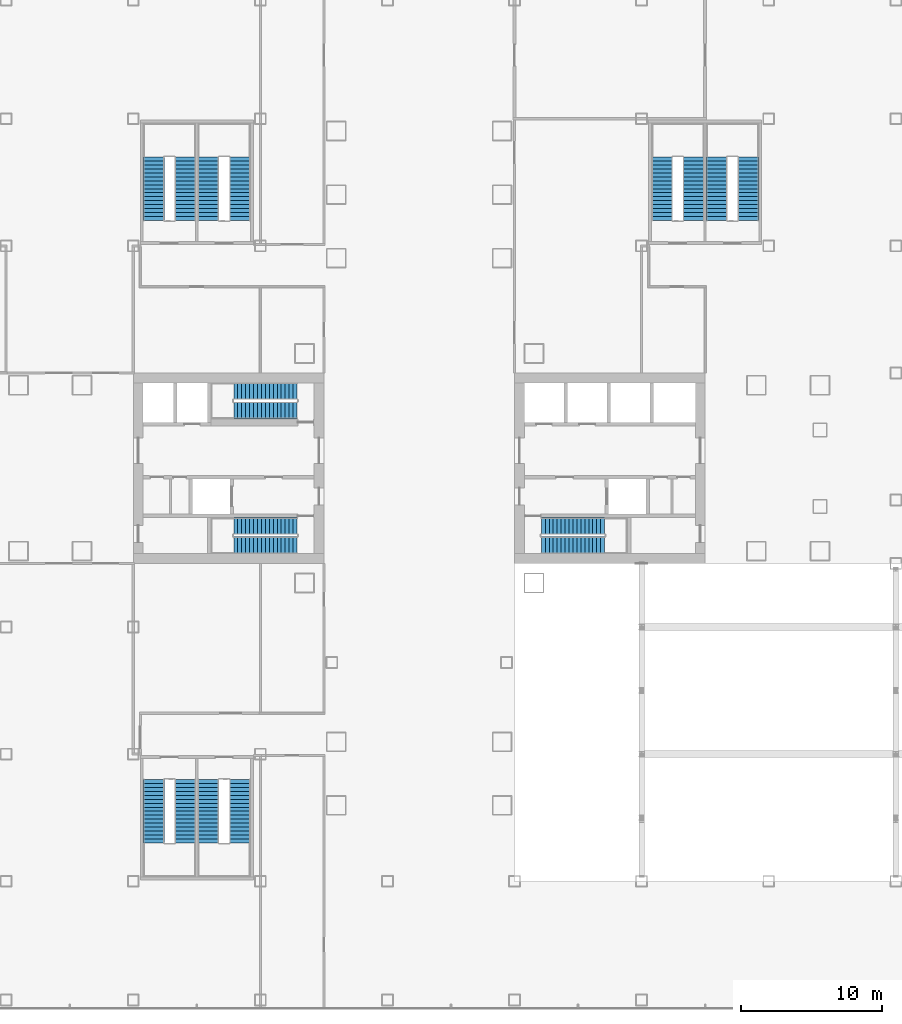
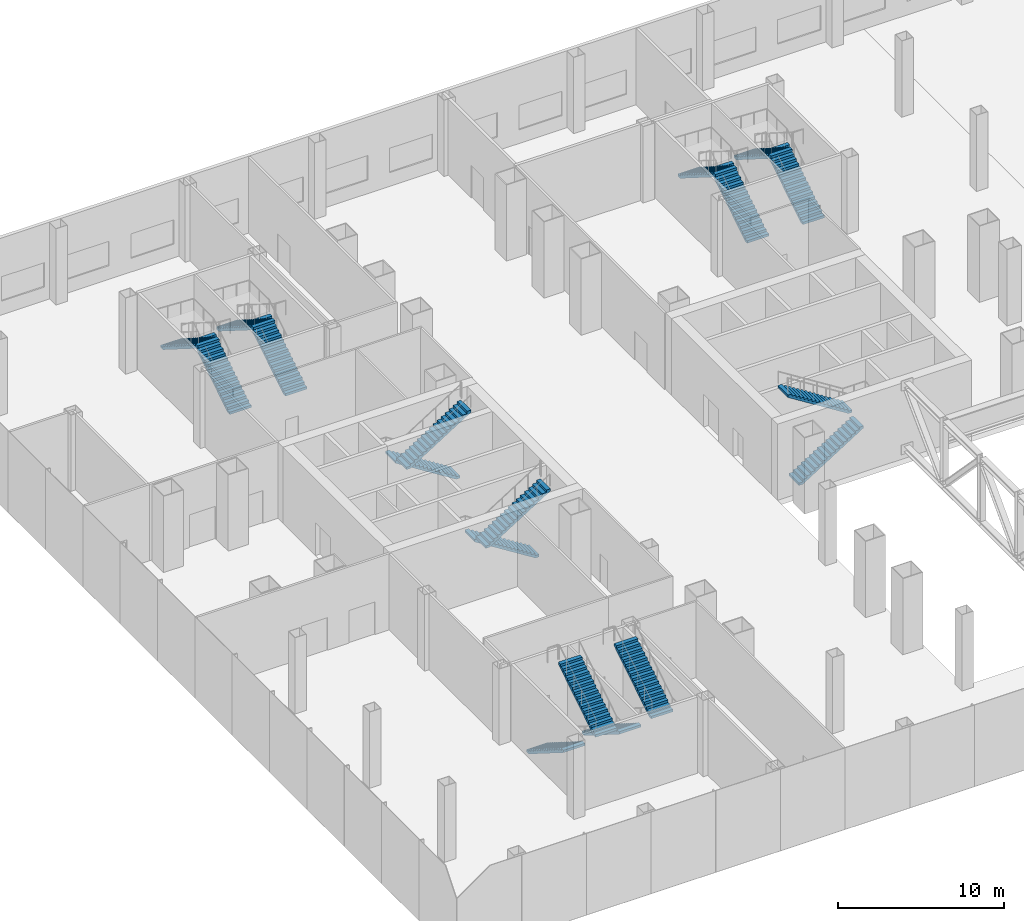
# One storey, part 26 of 33: 18 stair flights, 9 elements without a shape of their own.
"""IFC4 building model written with IfcOpenShell, lengths in metres."""

import ifcopenshell
import ifcopenshell.guid

model = None  # the IFC model being written
_history = None  # IfcOwnerHistory: only IFC2X3 demands one
_inside = {}  # id of a spatial element -> (the spatial element, [elements in it])
_under = {}  # id of a project, library or spatial element -> (it, [spatial elements below it])
_declared = {}  # id of a project -> (the project, [libraries it declares])
_typed = {}  # id of a type object -> (the type object, [elements of that type])
_made_of = {}  # id of a material, layer set ... -> (it, [elements and type objects made of it])


def new_model(schema):
    """Start an empty IFC model of exactly this schema.

    Asked for "IFC4X3", IfcOpenShell would pick the latest addendum, in which some entities
    have other attributes; the version numbers below select the first issue.
    IFC2X3 requires an IfcOwnerHistory on every rooted entity: one is made here for all.
    """
    global model, _history
    if schema == "IFC4X3":
        model = ifcopenshell.file(schema_version=(4, 3, 0, 0))
    else:
        model = ifcopenshell.file(schema=schema)
    _inside.clear()
    _under.clear()
    _declared.clear()
    _typed.clear()
    _made_of.clear()
    _history = None
    if model.schema == "IFC2X3":
        org = make("IfcOrganization", Name="unknown")
        user = make(
            "IfcPersonAndOrganization",
            ThePerson=make("IfcPerson", FamilyName="unknown"),
            TheOrganization=org,
        )
        app = make(
            "IfcApplication",
            ApplicationDeveloper=org,
            Version="unknown",
            ApplicationFullName="unknown",
            ApplicationIdentifier="unknown",
        )
        _history = make(
            "IfcOwnerHistory",
            OwningUser=user,
            OwningApplication=app,
            ChangeAction="ADDED",
            CreationDate=0,
        )
    return model


def make(cls, **values):
    """One entity of the class cls with the attributes given. An attribute that is None is left unset."""
    return model.create_entity(
        cls, **{name: value for name, value in values.items() if value is not None}
    )


def rooted(cls, **values):
    """An entity with a GlobalId (a new one), such as an element, a storey or a relation."""
    return make(cls, GlobalId=ifcopenshell.guid.new(), OwnerHistory=_history, **values)


def si_unit(unit_type, name, prefix=None):
    """IfcSIUnit, for example si_unit("LENGTHUNIT", "METRE", prefix="MILLI")."""
    return make("IfcSIUnit", UnitType=unit_type, Prefix=prefix, Name=name)


def assignment(units):
    """IfcUnitAssignment: the units of a project."""
    return None if units is None else make("IfcUnitAssignment", Units=units)


def point(xyz):
    """IfcCartesianPoint."""
    return None if xyz is None else make("IfcCartesianPoint", Coordinates=xyz)


def direction(xyz):
    """IfcDirection."""
    return None if xyz is None else make("IfcDirection", DirectionRatios=xyz)


def frame(location, z_axis=None, x_axis=None):
    """IfcAxis2Placement3D, a coordinate frame: its origin and axes. An axis left out is left unset."""
    return make(
        "IfcAxis2Placement3D",
        Location=point(location),
        Axis=direction(z_axis),
        RefDirection=direction(x_axis),
    )


def origin():
    """The frame at (0, 0, 0) with its axes left unset."""
    return frame((0.0, 0.0, 0.0))


def place(relative_to, where):
    """IfcLocalPlacement: puts the frame where relative to a parent placement (None: the world)."""
    return make(
        "IfcLocalPlacement", PlacementRelTo=relative_to, RelativePlacement=where
    )


def context(
    kind, dimensions, precision=None, world=None, true_north=None, identifier=None
):
    """IfcGeometricRepresentationContext, for example the 3D "Model" context."""
    return make(
        "IfcGeometricRepresentationContext",
        ContextIdentifier=identifier,
        ContextType=kind,
        CoordinateSpaceDimension=dimensions,
        Precision=precision,
        WorldCoordinateSystem=world,
        TrueNorth=true_north,
    )


def subcontext(parent, identifier, kind, view, scale=None):
    """IfcGeometricRepresentationSubContext, for example "Body" below "Model"."""
    return make(
        "IfcGeometricRepresentationSubContext",
        ContextIdentifier=identifier,
        ContextType=kind,
        ParentContext=parent,
        TargetScale=scale,
        TargetView=view,
    )


def project(units=None, contexts=None):
    """IfcProject with its units and contexts."""
    return rooted(
        "IfcProject",
        Name="project",
        RepresentationContexts=contexts,
        UnitsInContext=assignment(units),
    )


def spatial(cls, under=None, at=None, **own):
    """A site, building, storey or space (cls), placed at a placement, below another one or the project."""
    s = rooted(cls, ObjectPlacement=at, **own)
    if under is not None:
        _under.setdefault(under.id(), (under, []))[1].append(s)
    return s


def polyline(points):
    """IfcPolyline through the points."""
    return make("IfcPolyline", Points=[point(p) for p in points])


def outline(outer, holes=None, kind="AREA"):
    """IfcArbitraryClosedProfileDef: a profile drawn as a closed curve; with holes, ...WithVoids."""
    if holes is None:
        return make("IfcArbitraryClosedProfileDef", ProfileType=kind, OuterCurve=outer)
    return make(
        "IfcArbitraryProfileDefWithVoids",
        ProfileType=kind,
        OuterCurve=outer,
        InnerCurves=holes,
    )


def extrude(swept, where, along, depth):
    """IfcExtrudedAreaSolid: the profile swept, set in the frame where, extruded along a direction by depth."""
    return make(
        "IfcExtrudedAreaSolid",
        SweptArea=swept,
        Position=where,
        ExtrudedDirection=direction(along),
        Depth=depth,
    )


def shape(context_of_items, identifier, shape_type, items):
    """IfcShapeRepresentation: the items that make up one representation, for example the "Body"."""
    return make(
        "IfcShapeRepresentation",
        ContextOfItems=context_of_items,
        RepresentationIdentifier=identifier,
        RepresentationType=shape_type,
        Items=items,
    )


def material(Name=None, Category=None):
    """IfcMaterial."""
    return make("IfcMaterial", Name=Name, Category=Category)


def made_of(thing, what):
    """Note that an element or type object is made of a material, layer set ...; save() writes the relation."""
    if what is not None:
        _made_of.setdefault(what.id(), (what, []))[1].append(thing)
    return thing


def type_object(cls, material=None, **own):
    """A type object (cls), such as IfcWallType, which elements share."""
    return made_of(rooted(cls, **own), material)


def element(
    cls,
    number,
    at=None,
    inside=None,
    cuts=None,
    type_object=None,
    material=None,
    context=None,
    identifier="Body",
    shape_type=None,
    held_by="IfcProductDefinitionShape",
    body=None,
    shapes=None,
    **own,
):
    """One element of the class cls, such as IfcWall. Its Tag is "e" and its number.

    at: its placement. inside: the storey or other place that contains it. cuts: it is an
    opening in that element (IfcRelVoidsElement). A single representation is given by context,
    identifier, shape_type and body (its items); several are given by shapes. held_by: the class
    of the entity that holds the representations. save() writes the other relations.
    """
    e = rooted(cls, Tag="e%d" % number, ObjectPlacement=at, **own)
    if body is not None:
        shapes = [shape(context, identifier, shape_type, body)]
    if shapes is not None:
        e.Representation = make(held_by, Representations=shapes)
    if inside is not None:
        _inside.setdefault(inside.id(), (inside, []))[1].append(e)
    if cuts is not None:
        rooted(
            "IfcRelVoidsElement", RelatingBuildingElement=cuts, RelatedOpeningElement=e
        )
    if type_object is not None:
        _typed.setdefault(type_object.id(), (type_object, []))[1].append(e)
    return made_of(e, material)


def aggregate(whole, parts):
    """IfcRelAggregates: a whole, such as a stair, and the parts it consists of."""
    return rooted("IfcRelAggregates", RelatingObject=whole, RelatedObjects=parts)


def save(model, path):
    """Write the relations noted so far, then the file.

    IfcRelAggregates (storeys below a building ...), IfcRelContainedInSpatialStructure (elements
    in a storey), IfcRelDefinesByType, IfcRelAssociatesMaterial and IfcRelDeclares: one each for
    every whole, place, type object, material and project.
    """
    for whole, parts in _under.values():
        aggregate(whole, parts)
    for where, things in _inside.values():
        rooted(
            "IfcRelContainedInSpatialStructure",
            RelatedElements=things,
            RelatingStructure=where,
        )
    for kind, things in _typed.values():
        rooted("IfcRelDefinesByType", RelatedObjects=things, RelatingType=kind)
    for what, things in _made_of.values():
        rooted("IfcRelAssociatesMaterial", RelatedObjects=things, RelatingMaterial=what)
    for by, libraries in _declared.values():
        rooted("IfcRelDeclares", RelatingContext=by, RelatedDefinitions=libraries)
    model.write(path)


model = new_model("IFC4")

# Units and contexts
model_context = context("Model", 3, precision=1e-05, world=origin(), true_north=direction((0.0, 1.0)))
body_context = subcontext(model_context, "Body", "Model", "MODEL_VIEW")
ifc_project = project(units=[si_unit("LENGTHUNIT", "METRE"), si_unit("AREAUNIT", "SQUARE_METRE"), si_unit("VOLUMEUNIT", "CUBIC_METRE"), si_unit("PLANEANGLEUNIT", "RADIAN"), si_unit("MASSUNIT", "GRAM", prefix="KILO")], contexts=[model_context])

# Site, building, storey
site_placement = place(None, origin())
site = spatial("IfcSite", under=ifc_project, at=site_placement, CompositionType="ELEMENT")
building_placement = place(site_placement, origin())
building = spatial("IfcBuilding", under=site, at=building_placement, Name="Shamsa Quay Exchange Towers", CompositionType="ELEMENT")
storey_placement = place(building_placement, frame((0.0, 0.0, 6.5)))
storey = spatial("IfcBuildingStorey", under=building, at=storey_placement, Name="L01", CompositionType="ELEMENT", Elevation=6.5)

# Stair, stair flights
ifc_material = material(Name="Concrete C40/50", Category="concrete")
stair_type_1 = type_object("IfcStairType", Name="EXIT STAIR 34 RISERS 176 MM", PredefinedType="HALF_TURN_STAIR", material=ifc_material)
stair_1_placement = place(storey_placement, origin())
stair_1 = element("IfcStair", 1, at=stair_1_placement, inside=storey, type_object=stair_type_1, Name="L01 Exit stair ST1", PredefinedType="HALF_TURN_STAIR")
stair_flight_type_1 = type_object("IfcStairFlightType", Name="EXIT STAIR FLIGHT 17 RISERS 176 MM", PredefinedType="STRAIGHT", material=ifc_material)
stair_flight_1_placement = place(storey_placement, frame((-25.10009765625, -5.449951171875, 0.0)))
stair_flight_1 = element("IfcStairFlight", 2, at=stair_flight_1_placement, type_object=stair_flight_type_1, Name="ST1 flight 1", NumberOfRisers=17, NumberOfTreads=16, PredefinedType="STRAIGHT", RiserHeight=0.176470588, TreadLength=0.28, context=body_context, shape_type="SweptSolid", body=[
    extrude(outline(polyline([(0.0, 0.0), (0.0, 0.176513671875), (0.280029296875, 0.176513671875), (0.280029296875, 0.35302734375), (0.56005859375, 0.35302734375), (0.56005859375, 0.529296875), (0.840087890625, 0.529296875), (0.840087890625, 0.705810546875), (1.1201171875, 0.705810546875), (1.1201171875, 0.88232421875), (1.39990234375, 0.88232421875), (1.39990234375, 1.058837890625), (1.679931640625, 1.058837890625), (1.679931640625, 1.2353515625), (1.9599609375, 1.2353515625), (1.9599609375, 1.411865234375), (2.239990234375, 1.411865234375), (2.239990234375, 1.588134765625), (2.52001953125, 1.588134765625), (2.52001953125, 1.7646484375), (2.800048828125, 1.7646484375), (2.800048828125, 1.941162109375), (3.080078125, 1.941162109375), (3.080078125, 2.11767578125), (3.360107421875, 2.11767578125), (3.360107421875, 2.294189453125), (3.639892578125, 2.294189453125), (3.639892578125, 2.470703125), (3.919921875, 2.470703125), (3.919921875, 2.64697265625), (4.199951171875, 2.64697265625), (4.199951171875, 2.823486328125), (4.47998046875, 2.823486328125), (4.47998046875, 3.0), (4.47998046875, 2.658203125), (0.262451171875, 0.0), (0.0, 0.0)])), frame((0.0, 0.60009765625, 0.0), z_axis=(0.0, -1.0, 0.0), x_axis=(1.0, 0.0, 0.0)), (0.0, 0.0, 1.0), 1.199951171875),
])
stair_flight_2_placement = place(storey_placement, frame((-20.6201171875, -4.10009765625, 3.0), z_axis=(0.0, 0.0, 1.0), x_axis=(-1.0, 0.0, 0.0)))
stair_flight_2 = element("IfcStairFlight", 3, at=stair_flight_2_placement, type_object=stair_flight_type_1, Name="ST1 flight 2", NumberOfRisers=17, NumberOfTreads=16, PredefinedType="STRAIGHT", RiserHeight=0.176470588, TreadLength=0.28, context=body_context, shape_type="SweptSolid", body=[
    extrude(outline(polyline([(0.0, 0.0), (0.0, 0.176513671875), (0.280029296875, 0.176513671875), (0.280029296875, 0.35302734375), (0.56005859375, 0.35302734375), (0.56005859375, 0.529296875), (0.840087890625, 0.529296875), (0.840087890625, 0.705810546875), (1.1201171875, 0.705810546875), (1.1201171875, 0.88232421875), (1.39990234375, 0.88232421875), (1.39990234375, 1.058837890625), (1.679931640625, 1.058837890625), (1.679931640625, 1.2353515625), (1.9599609375, 1.2353515625), (1.9599609375, 1.411865234375), (2.239990234375, 1.411865234375), (2.239990234375, 1.588134765625), (2.52001953125, 1.588134765625), (2.52001953125, 1.7646484375), (2.800048828125, 1.7646484375), (2.800048828125, 1.941162109375), (3.080078125, 1.941162109375), (3.080078125, 2.11767578125), (3.360107421875, 2.11767578125), (3.360107421875, 2.294189453125), (3.639892578125, 2.294189453125), (3.639892578125, 2.470703125), (3.919921875, 2.470703125), (3.919921875, 2.64697265625), (4.199951171875, 2.64697265625), (4.199951171875, 2.823486328125), (4.47998046875, 2.823486328125), (4.47998046875, 3.0), (4.47998046875, 2.658203125), (0.262451171875, 0.0), (0.0, 0.0)])), frame((0.0, 0.60009765625, 0.0), z_axis=(0.0, -1.0, 0.0), x_axis=(1.0, 0.0, 0.0)), (0.0, 0.0, 1.0), 1.199951171875),
])
aggregate(stair_1, [stair_flight_1, stair_flight_2])

stair_2_placement = place(storey_placement, origin())
stair_2 = element("IfcStair", 4, at=stair_2_placement, inside=storey, type_object=stair_type_1, Name="L01 Exit stair ST2", PredefinedType="HALF_TURN_STAIR")
stair_flight_3_placement = place(storey_placement, frame((-42.39990234375, -4.10009765625, 0.0), z_axis=(0.0, 0.0, 1.0), x_axis=(-1.0, 0.0, 0.0)))
stair_flight_3 = element("IfcStairFlight", 5, at=stair_flight_3_placement, type_object=stair_flight_type_1, Name="ST2 flight 1", NumberOfRisers=17, NumberOfTreads=16, PredefinedType="STRAIGHT", RiserHeight=0.176470588, TreadLength=0.28, context=body_context, shape_type="SweptSolid", body=[
    extrude(outline(polyline([(0.0, 0.0), (0.0, 0.176513671875), (0.280029296875, 0.176513671875), (0.280029296875, 0.35302734375), (0.56005859375, 0.35302734375), (0.56005859375, 0.529296875), (0.840087890625, 0.529296875), (0.840087890625, 0.705810546875), (1.1201171875, 0.705810546875), (1.1201171875, 0.88232421875), (1.39990234375, 0.88232421875), (1.39990234375, 1.058837890625), (1.679931640625, 1.058837890625), (1.679931640625, 1.2353515625), (1.9599609375, 1.2353515625), (1.9599609375, 1.411865234375), (2.239990234375, 1.411865234375), (2.239990234375, 1.588134765625), (2.52001953125, 1.588134765625), (2.52001953125, 1.7646484375), (2.800048828125, 1.7646484375), (2.800048828125, 1.941162109375), (3.080078125, 1.941162109375), (3.080078125, 2.11767578125), (3.360107421875, 2.11767578125), (3.360107421875, 2.294189453125), (3.639892578125, 2.294189453125), (3.639892578125, 2.470703125), (3.919921875, 2.470703125), (3.919921875, 2.64697265625), (4.199951171875, 2.64697265625), (4.199951171875, 2.823486328125), (4.47998046875, 2.823486328125), (4.47998046875, 3.0), (4.47998046875, 2.658203125), (0.262451171875, 0.0), (0.0, 0.0)])), frame((0.0, 0.60009765625, 0.0), z_axis=(0.0, -1.0, 0.0), x_axis=(1.0, 0.0, 0.0)), (0.0, 0.0, 1.0), 1.199951171875),
])
stair_flight_4_placement = place(storey_placement, frame((-46.8798828125, -5.449951171875, 3.0)))
stair_flight_4 = element("IfcStairFlight", 6, at=stair_flight_4_placement, type_object=stair_flight_type_1, Name="ST2 flight 2", NumberOfRisers=17, NumberOfTreads=16, PredefinedType="STRAIGHT", RiserHeight=0.176470588, TreadLength=0.28, context=body_context, shape_type="SweptSolid", body=[
    extrude(outline(polyline([(0.0, 0.0), (0.0, 0.176513671875), (0.280029296875, 0.176513671875), (0.280029296875, 0.35302734375), (0.56005859375, 0.35302734375), (0.56005859375, 0.529296875), (0.840087890625, 0.529296875), (0.840087890625, 0.705810546875), (1.1201171875, 0.705810546875), (1.1201171875, 0.88232421875), (1.39990234375, 0.88232421875), (1.39990234375, 1.058837890625), (1.679931640625, 1.058837890625), (1.679931640625, 1.2353515625), (1.9599609375, 1.2353515625), (1.9599609375, 1.411865234375), (2.239990234375, 1.411865234375), (2.239990234375, 1.588134765625), (2.52001953125, 1.588134765625), (2.52001953125, 1.7646484375), (2.800048828125, 1.7646484375), (2.800048828125, 1.941162109375), (3.080078125, 1.941162109375), (3.080078125, 2.11767578125), (3.360107421875, 2.11767578125), (3.360107421875, 2.294189453125), (3.639892578125, 2.294189453125), (3.639892578125, 2.470703125), (3.919921875, 2.470703125), (3.919921875, 2.64697265625), (4.199951171875, 2.64697265625), (4.199951171875, 2.823486328125), (4.47998046875, 2.823486328125), (4.47998046875, 3.0), (4.47998046875, 2.658203125), (0.262451171875, 0.0), (0.0, 0.0)])), frame((0.0, 0.60009765625, 0.0), z_axis=(0.0, -1.0, 0.0), x_axis=(1.0, 0.0, 0.0)), (0.0, 0.0, 1.0), 1.199951171875),
])
aggregate(stair_2, [stair_flight_3, stair_flight_4])

stair_3_placement = place(storey_placement, origin())
stair_3 = element("IfcStair", 7, at=stair_3_placement, inside=storey, type_object=stair_type_1, Name="L01 Exit stair ST3", PredefinedType="HALF_TURN_STAIR")
stair_flight_5_placement = place(storey_placement, frame((-42.39990234375, 5.449951171875, 0.0), z_axis=(0.0, 0.0, 1.0), x_axis=(-1.0, 0.0, 0.0)))
stair_flight_5 = element("IfcStairFlight", 8, at=stair_flight_5_placement, type_object=stair_flight_type_1, Name="ST3 flight 1", NumberOfRisers=17, NumberOfTreads=16, PredefinedType="STRAIGHT", RiserHeight=0.176470588, TreadLength=0.28, context=body_context, shape_type="SweptSolid", body=[
    extrude(outline(polyline([(0.0, 0.0), (0.0, 0.176513671875), (0.280029296875, 0.176513671875), (0.280029296875, 0.35302734375), (0.56005859375, 0.35302734375), (0.56005859375, 0.529296875), (0.840087890625, 0.529296875), (0.840087890625, 0.705810546875), (1.1201171875, 0.705810546875), (1.1201171875, 0.88232421875), (1.39990234375, 0.88232421875), (1.39990234375, 1.058837890625), (1.679931640625, 1.058837890625), (1.679931640625, 1.2353515625), (1.9599609375, 1.2353515625), (1.9599609375, 1.411865234375), (2.239990234375, 1.411865234375), (2.239990234375, 1.588134765625), (2.52001953125, 1.588134765625), (2.52001953125, 1.7646484375), (2.800048828125, 1.7646484375), (2.800048828125, 1.941162109375), (3.080078125, 1.941162109375), (3.080078125, 2.11767578125), (3.360107421875, 2.11767578125), (3.360107421875, 2.294189453125), (3.639892578125, 2.294189453125), (3.639892578125, 2.470703125), (3.919921875, 2.470703125), (3.919921875, 2.64697265625), (4.199951171875, 2.64697265625), (4.199951171875, 2.823486328125), (4.47998046875, 2.823486328125), (4.47998046875, 3.0), (4.47998046875, 2.658203125), (0.262451171875, 0.0), (0.0, 0.0)])), frame((0.0, 0.60009765625, 0.0), z_axis=(0.0, -1.0, 0.0), x_axis=(1.0, 0.0, 0.0)), (0.0, 0.0, 1.0), 1.199951171875),
])
stair_flight_6_placement = place(storey_placement, frame((-46.8798828125, 4.10009765625, 3.0)))
stair_flight_6 = element("IfcStairFlight", 9, at=stair_flight_6_placement, type_object=stair_flight_type_1, Name="ST3 flight 2", NumberOfRisers=17, NumberOfTreads=16, PredefinedType="STRAIGHT", RiserHeight=0.176470588, TreadLength=0.28, context=body_context, shape_type="SweptSolid", body=[
    extrude(outline(polyline([(0.0, 0.0), (0.0, 0.176513671875), (0.280029296875, 0.176513671875), (0.280029296875, 0.35302734375), (0.56005859375, 0.35302734375), (0.56005859375, 0.529296875), (0.840087890625, 0.529296875), (0.840087890625, 0.705810546875), (1.1201171875, 0.705810546875), (1.1201171875, 0.88232421875), (1.39990234375, 0.88232421875), (1.39990234375, 1.058837890625), (1.679931640625, 1.058837890625), (1.679931640625, 1.2353515625), (1.9599609375, 1.2353515625), (1.9599609375, 1.411865234375), (2.239990234375, 1.411865234375), (2.239990234375, 1.588134765625), (2.52001953125, 1.588134765625), (2.52001953125, 1.7646484375), (2.800048828125, 1.7646484375), (2.800048828125, 1.941162109375), (3.080078125, 1.941162109375), (3.080078125, 2.11767578125), (3.360107421875, 2.11767578125), (3.360107421875, 2.294189453125), (3.639892578125, 2.294189453125), (3.639892578125, 2.470703125), (3.919921875, 2.470703125), (3.919921875, 2.64697265625), (4.199951171875, 2.64697265625), (4.199951171875, 2.823486328125), (4.47998046875, 2.823486328125), (4.47998046875, 3.0), (4.47998046875, 2.658203125), (0.262451171875, 0.0), (0.0, 0.0)])), frame((0.0, 0.60009765625, 0.0), z_axis=(0.0, -1.0, 0.0), x_axis=(1.0, 0.0, 0.0)), (0.0, 0.0, 1.0), 1.199951171875),
])
aggregate(stair_3, [stair_flight_5, stair_flight_6])

stair_type_2 = type_object("IfcStairType", Name="PODIUM EXIT STAIR 34 RISERS 176 MM 1500 WIDE", PredefinedType="HALF_TURN_STAIR", material=ifc_material)
stair_4_placement = place(storey_placement, origin())
stair_4 = element("IfcStair", 10, at=stair_4_placement, inside=storey, type_object=stair_type_2, Name="L01 Exit stair PS1A", PredefinedType="HALF_TURN_STAIR")
stair_flight_type_2 = type_object("IfcStairFlightType", Name="PODIUM EXIT STAIR FLIGHT 17 RISERS 176 MM 1500 WIDE", PredefinedType="STRAIGHT", material=ifc_material)
stair_flight_7_placement = place(storey_placement, frame((-50.324951171875, 17.550048828125, 0.0), z_axis=(0.0, 0.0, 1.0), x_axis=(0.0, 1.0, 0.0)))
stair_flight_7 = element("IfcStairFlight", 11, at=stair_flight_7_placement, type_object=stair_flight_type_2, Name="PS1A flight 1", NumberOfRisers=17, NumberOfTreads=16, PredefinedType="STRAIGHT", RiserHeight=0.176470588, TreadLength=0.28, context=body_context, shape_type="SweptSolid", body=[
    extrude(outline(polyline([(0.0, 0.0), (0.0, 0.176513671875), (0.280029296875, 0.176513671875), (0.280029296875, 0.35302734375), (0.56005859375, 0.35302734375), (0.56005859375, 0.529296875), (0.840087890625, 0.529296875), (0.840087890625, 0.705810546875), (1.1201171875, 0.705810546875), (1.1201171875, 0.88232421875), (1.39990234375, 0.88232421875), (1.39990234375, 1.058837890625), (1.679931640625, 1.058837890625), (1.679931640625, 1.2353515625), (1.9599609375, 1.2353515625), (1.9599609375, 1.411865234375), (2.239990234375, 1.411865234375), (2.239990234375, 1.588134765625), (2.52001953125, 1.588134765625), (2.52001953125, 1.7646484375), (2.800048828125, 1.7646484375), (2.800048828125, 1.941162109375), (3.080078125, 1.941162109375), (3.080078125, 2.11767578125), (3.360107421875, 2.11767578125), (3.360107421875, 2.294189453125), (3.639892578125, 2.294189453125), (3.639892578125, 2.470703125), (3.919921875, 2.470703125), (3.919921875, 2.64697265625), (4.199951171875, 2.64697265625), (4.199951171875, 2.823486328125), (4.47998046875, 2.823486328125), (4.47998046875, 3.0), (4.47998046875, 2.646240234375), (0.28125, 0.0), (0.0, 0.0)])), frame((0.0, 0.75, 0.0), z_axis=(0.0, -1.0, 0.0), x_axis=(1.0, 0.0, 0.0)), (0.0, 0.0, 1.0), 1.5),
])
stair_flight_8_placement = place(storey_placement, frame((-52.550048828125, 22.030029296875, 3.0), z_axis=(0.0, 0.0, 1.0), x_axis=(0.0, -1.0, 0.0)))
stair_flight_8 = element("IfcStairFlight", 12, at=stair_flight_8_placement, type_object=stair_flight_type_2, Name="PS1A flight 2", NumberOfRisers=17, NumberOfTreads=16, PredefinedType="STRAIGHT", RiserHeight=0.176470588, TreadLength=0.28, context=body_context, shape_type="SweptSolid", body=[
    extrude(outline(polyline([(0.0, 0.0), (0.0, 0.176513671875), (0.280029296875, 0.176513671875), (0.280029296875, 0.35302734375), (0.56005859375, 0.35302734375), (0.56005859375, 0.529296875), (0.840087890625, 0.529296875), (0.840087890625, 0.705810546875), (1.1201171875, 0.705810546875), (1.1201171875, 0.88232421875), (1.39990234375, 0.88232421875), (1.39990234375, 1.058837890625), (1.679931640625, 1.058837890625), (1.679931640625, 1.2353515625), (1.9599609375, 1.2353515625), (1.9599609375, 1.411865234375), (2.239990234375, 1.411865234375), (2.239990234375, 1.588134765625), (2.52001953125, 1.588134765625), (2.52001953125, 1.7646484375), (2.800048828125, 1.7646484375), (2.800048828125, 1.941162109375), (3.080078125, 1.941162109375), (3.080078125, 2.11767578125), (3.360107421875, 2.11767578125), (3.360107421875, 2.294189453125), (3.639892578125, 2.294189453125), (3.639892578125, 2.470703125), (3.919921875, 2.470703125), (3.919921875, 2.64697265625), (4.199951171875, 2.64697265625), (4.199951171875, 2.823486328125), (4.47998046875, 2.823486328125), (4.47998046875, 3.0), (4.47998046875, 2.646240234375), (0.28125, 0.0), (0.0, 0.0)])), frame((0.0, 0.75, 0.0), z_axis=(0.0, -1.0, 0.0), x_axis=(1.0, 0.0, 0.0)), (0.0, 0.0, 1.0), 1.5),
])
aggregate(stair_4, [stair_flight_7, stair_flight_8])

stair_5_placement = place(storey_placement, origin())
stair_5 = element("IfcStair", 13, at=stair_5_placement, inside=storey, type_object=stair_type_2, Name="L01 Exit stair PS1B", PredefinedType="HALF_TURN_STAIR")
stair_flight_9_placement = place(storey_placement, frame((-46.449951171875, 17.550048828125, 0.0), z_axis=(0.0, 0.0, 1.0), x_axis=(0.0, 1.0, 0.0)))
stair_flight_9 = element("IfcStairFlight", 14, at=stair_flight_9_placement, type_object=stair_flight_type_2, Name="PS1B flight 1", NumberOfRisers=17, NumberOfTreads=16, PredefinedType="STRAIGHT", RiserHeight=0.176470588, TreadLength=0.28, context=body_context, shape_type="SweptSolid", body=[
    extrude(outline(polyline([(0.0, 0.0), (0.0, 0.176513671875), (0.280029296875, 0.176513671875), (0.280029296875, 0.35302734375), (0.56005859375, 0.35302734375), (0.56005859375, 0.529296875), (0.840087890625, 0.529296875), (0.840087890625, 0.705810546875), (1.1201171875, 0.705810546875), (1.1201171875, 0.88232421875), (1.39990234375, 0.88232421875), (1.39990234375, 1.058837890625), (1.679931640625, 1.058837890625), (1.679931640625, 1.2353515625), (1.9599609375, 1.2353515625), (1.9599609375, 1.411865234375), (2.239990234375, 1.411865234375), (2.239990234375, 1.588134765625), (2.52001953125, 1.588134765625), (2.52001953125, 1.7646484375), (2.800048828125, 1.7646484375), (2.800048828125, 1.941162109375), (3.080078125, 1.941162109375), (3.080078125, 2.11767578125), (3.360107421875, 2.11767578125), (3.360107421875, 2.294189453125), (3.639892578125, 2.294189453125), (3.639892578125, 2.470703125), (3.919921875, 2.470703125), (3.919921875, 2.64697265625), (4.199951171875, 2.64697265625), (4.199951171875, 2.823486328125), (4.47998046875, 2.823486328125), (4.47998046875, 3.0), (4.47998046875, 2.646240234375), (0.28125, 0.0), (0.0, 0.0)])), frame((0.0, 0.75, 0.0), z_axis=(0.0, -1.0, 0.0), x_axis=(1.0, 0.0, 0.0)), (0.0, 0.0, 1.0), 1.5),
])
stair_flight_10_placement = place(storey_placement, frame((-48.675048828125, 22.030029296875, 3.0), z_axis=(0.0, 0.0, 1.0), x_axis=(0.0, -1.0, 0.0)))
stair_flight_10 = element("IfcStairFlight", 15, at=stair_flight_10_placement, type_object=stair_flight_type_2, Name="PS1B flight 2", NumberOfRisers=17, NumberOfTreads=16, PredefinedType="STRAIGHT", RiserHeight=0.176470588, TreadLength=0.28, context=body_context, shape_type="SweptSolid", body=[
    extrude(outline(polyline([(0.0, 0.0), (0.0, 0.176513671875), (0.280029296875, 0.176513671875), (0.280029296875, 0.35302734375), (0.56005859375, 0.35302734375), (0.56005859375, 0.529296875), (0.840087890625, 0.529296875), (0.840087890625, 0.705810546875), (1.1201171875, 0.705810546875), (1.1201171875, 0.88232421875), (1.39990234375, 0.88232421875), (1.39990234375, 1.058837890625), (1.679931640625, 1.058837890625), (1.679931640625, 1.2353515625), (1.9599609375, 1.2353515625), (1.9599609375, 1.411865234375), (2.239990234375, 1.411865234375), (2.239990234375, 1.588134765625), (2.52001953125, 1.588134765625), (2.52001953125, 1.7646484375), (2.800048828125, 1.7646484375), (2.800048828125, 1.941162109375), (3.080078125, 1.941162109375), (3.080078125, 2.11767578125), (3.360107421875, 2.11767578125), (3.360107421875, 2.294189453125), (3.639892578125, 2.294189453125), (3.639892578125, 2.470703125), (3.919921875, 2.470703125), (3.919921875, 2.64697265625), (4.199951171875, 2.64697265625), (4.199951171875, 2.823486328125), (4.47998046875, 2.823486328125), (4.47998046875, 3.0), (4.47998046875, 2.646240234375), (0.28125, 0.0), (0.0, 0.0)])), frame((0.0, 0.75, 0.0), z_axis=(0.0, -1.0, 0.0), x_axis=(1.0, 0.0, 0.0)), (0.0, 0.0, 1.0), 1.5),
])
aggregate(stair_5, [stair_flight_9, stair_flight_10])

stair_6_placement = place(storey_placement, origin())
stair_6 = element("IfcStair", 16, at=stair_6_placement, inside=storey, type_object=stair_type_2, Name="L01 Exit stair PS2A", PredefinedType="HALF_TURN_STAIR")
stair_flight_11_placement = place(storey_placement, frame((-14.324951171875, 17.550048828125, 0.0), z_axis=(0.0, 0.0, 1.0), x_axis=(0.0, 1.0, 0.0)))
stair_flight_11 = element("IfcStairFlight", 17, at=stair_flight_11_placement, type_object=stair_flight_type_2, Name="PS2A flight 1", NumberOfRisers=17, NumberOfTreads=16, PredefinedType="STRAIGHT", RiserHeight=0.176470588, TreadLength=0.28, context=body_context, shape_type="SweptSolid", body=[
    extrude(outline(polyline([(0.0, 0.0), (0.0, 0.176513671875), (0.280029296875, 0.176513671875), (0.280029296875, 0.35302734375), (0.56005859375, 0.35302734375), (0.56005859375, 0.529296875), (0.840087890625, 0.529296875), (0.840087890625, 0.705810546875), (1.1201171875, 0.705810546875), (1.1201171875, 0.88232421875), (1.39990234375, 0.88232421875), (1.39990234375, 1.058837890625), (1.679931640625, 1.058837890625), (1.679931640625, 1.2353515625), (1.9599609375, 1.2353515625), (1.9599609375, 1.411865234375), (2.239990234375, 1.411865234375), (2.239990234375, 1.588134765625), (2.52001953125, 1.588134765625), (2.52001953125, 1.7646484375), (2.800048828125, 1.7646484375), (2.800048828125, 1.941162109375), (3.080078125, 1.941162109375), (3.080078125, 2.11767578125), (3.360107421875, 2.11767578125), (3.360107421875, 2.294189453125), (3.639892578125, 2.294189453125), (3.639892578125, 2.470703125), (3.919921875, 2.470703125), (3.919921875, 2.64697265625), (4.199951171875, 2.64697265625), (4.199951171875, 2.823486328125), (4.47998046875, 2.823486328125), (4.47998046875, 3.0), (4.47998046875, 2.646240234375), (0.28125, 0.0), (0.0, 0.0)])), frame((0.0, 0.75, 0.0), z_axis=(0.0, -1.0, 0.0), x_axis=(1.0, 0.0, 0.0)), (0.0, 0.0, 1.0), 1.5),
])
stair_flight_12_placement = place(storey_placement, frame((-16.550048828125, 22.030029296875, 3.0), z_axis=(0.0, 0.0, 1.0), x_axis=(0.0, -1.0, 0.0)))
stair_flight_12 = element("IfcStairFlight", 18, at=stair_flight_12_placement, type_object=stair_flight_type_2, Name="PS2A flight 2", NumberOfRisers=17, NumberOfTreads=16, PredefinedType="STRAIGHT", RiserHeight=0.176470588, TreadLength=0.28, context=body_context, shape_type="SweptSolid", body=[
    extrude(outline(polyline([(0.0, 0.0), (0.0, 0.176513671875), (0.280029296875, 0.176513671875), (0.280029296875, 0.35302734375), (0.56005859375, 0.35302734375), (0.56005859375, 0.529296875), (0.840087890625, 0.529296875), (0.840087890625, 0.705810546875), (1.1201171875, 0.705810546875), (1.1201171875, 0.88232421875), (1.39990234375, 0.88232421875), (1.39990234375, 1.058837890625), (1.679931640625, 1.058837890625), (1.679931640625, 1.2353515625), (1.9599609375, 1.2353515625), (1.9599609375, 1.411865234375), (2.239990234375, 1.411865234375), (2.239990234375, 1.588134765625), (2.52001953125, 1.588134765625), (2.52001953125, 1.7646484375), (2.800048828125, 1.7646484375), (2.800048828125, 1.941162109375), (3.080078125, 1.941162109375), (3.080078125, 2.11767578125), (3.360107421875, 2.11767578125), (3.360107421875, 2.294189453125), (3.639892578125, 2.294189453125), (3.639892578125, 2.470703125), (3.919921875, 2.470703125), (3.919921875, 2.64697265625), (4.199951171875, 2.64697265625), (4.199951171875, 2.823486328125), (4.47998046875, 2.823486328125), (4.47998046875, 3.0), (4.47998046875, 2.646240234375), (0.28125, 0.0), (0.0, 0.0)])), frame((0.0, 0.75, 0.0), z_axis=(0.0, -1.0, 0.0), x_axis=(1.0, 0.0, 0.0)), (0.0, 0.0, 1.0), 1.5),
])
aggregate(stair_6, [stair_flight_11, stair_flight_12])

stair_7_placement = place(storey_placement, origin())
stair_7 = element("IfcStair", 19, at=stair_7_placement, inside=storey, type_object=stair_type_2, Name="L01 Exit stair PS2B", PredefinedType="HALF_TURN_STAIR")
stair_flight_13_placement = place(storey_placement, frame((-10.449951171875, 17.550048828125, 0.0), z_axis=(0.0, 0.0, 1.0), x_axis=(0.0, 1.0, 0.0)))
stair_flight_13 = element("IfcStairFlight", 20, at=stair_flight_13_placement, type_object=stair_flight_type_2, Name="PS2B flight 1", NumberOfRisers=17, NumberOfTreads=16, PredefinedType="STRAIGHT", RiserHeight=0.176470588, TreadLength=0.28, context=body_context, shape_type="SweptSolid", body=[
    extrude(outline(polyline([(0.0, 0.0), (0.0, 0.176513671875), (0.280029296875, 0.176513671875), (0.280029296875, 0.35302734375), (0.56005859375, 0.35302734375), (0.56005859375, 0.529296875), (0.840087890625, 0.529296875), (0.840087890625, 0.705810546875), (1.1201171875, 0.705810546875), (1.1201171875, 0.88232421875), (1.39990234375, 0.88232421875), (1.39990234375, 1.058837890625), (1.679931640625, 1.058837890625), (1.679931640625, 1.2353515625), (1.9599609375, 1.2353515625), (1.9599609375, 1.411865234375), (2.239990234375, 1.411865234375), (2.239990234375, 1.588134765625), (2.52001953125, 1.588134765625), (2.52001953125, 1.7646484375), (2.800048828125, 1.7646484375), (2.800048828125, 1.941162109375), (3.080078125, 1.941162109375), (3.080078125, 2.11767578125), (3.360107421875, 2.11767578125), (3.360107421875, 2.294189453125), (3.639892578125, 2.294189453125), (3.639892578125, 2.470703125), (3.919921875, 2.470703125), (3.919921875, 2.64697265625), (4.199951171875, 2.64697265625), (4.199951171875, 2.823486328125), (4.47998046875, 2.823486328125), (4.47998046875, 3.0), (4.47998046875, 2.646240234375), (0.28125, 0.0), (0.0, 0.0)])), frame((0.0, 0.75, 0.0), z_axis=(0.0, -1.0, 0.0), x_axis=(1.0, 0.0, 0.0)), (0.0, 0.0, 1.0), 1.5),
])
stair_flight_14_placement = place(storey_placement, frame((-12.675048828125, 22.030029296875, 3.0), z_axis=(0.0, 0.0, 1.0), x_axis=(0.0, -1.0, 0.0)))
stair_flight_14 = element("IfcStairFlight", 21, at=stair_flight_14_placement, type_object=stair_flight_type_2, Name="PS2B flight 2", NumberOfRisers=17, NumberOfTreads=16, PredefinedType="STRAIGHT", RiserHeight=0.176470588, TreadLength=0.28, context=body_context, shape_type="SweptSolid", body=[
    extrude(outline(polyline([(0.0, 0.0), (0.0, 0.176513671875), (0.280029296875, 0.176513671875), (0.280029296875, 0.35302734375), (0.56005859375, 0.35302734375), (0.56005859375, 0.529296875), (0.840087890625, 0.529296875), (0.840087890625, 0.705810546875), (1.1201171875, 0.705810546875), (1.1201171875, 0.88232421875), (1.39990234375, 0.88232421875), (1.39990234375, 1.058837890625), (1.679931640625, 1.058837890625), (1.679931640625, 1.2353515625), (1.9599609375, 1.2353515625), (1.9599609375, 1.411865234375), (2.239990234375, 1.411865234375), (2.239990234375, 1.588134765625), (2.52001953125, 1.588134765625), (2.52001953125, 1.7646484375), (2.800048828125, 1.7646484375), (2.800048828125, 1.941162109375), (3.080078125, 1.941162109375), (3.080078125, 2.11767578125), (3.360107421875, 2.11767578125), (3.360107421875, 2.294189453125), (3.639892578125, 2.294189453125), (3.639892578125, 2.470703125), (3.919921875, 2.470703125), (3.919921875, 2.64697265625), (4.199951171875, 2.64697265625), (4.199951171875, 2.823486328125), (4.47998046875, 2.823486328125), (4.47998046875, 3.0), (4.47998046875, 2.646240234375), (0.28125, 0.0), (0.0, 0.0)])), frame((0.0, 0.75, 0.0), z_axis=(0.0, -1.0, 0.0), x_axis=(1.0, 0.0, 0.0)), (0.0, 0.0, 1.0), 1.5),
])
aggregate(stair_7, [stair_flight_13, stair_flight_14])

stair_8_placement = place(storey_placement, origin())
stair_8 = element("IfcStair", 22, at=stair_8_placement, inside=storey, type_object=stair_type_2, Name="L01 Exit stair PS5A", PredefinedType="HALF_TURN_STAIR")
stair_flight_15_placement = place(storey_placement, frame((-52.550048828125, -22.050048828125, 0.0), z_axis=(0.0, 0.0, 1.0), x_axis=(0.0, -1.0, 0.0)))
stair_flight_15 = element("IfcStairFlight", 23, at=stair_flight_15_placement, type_object=stair_flight_type_2, Name="PS5A flight 1", NumberOfRisers=17, NumberOfTreads=16, PredefinedType="STRAIGHT", RiserHeight=0.176470588, TreadLength=0.28, context=body_context, shape_type="SweptSolid", body=[
    extrude(outline(polyline([(0.0, 0.0), (0.0, 0.176513671875), (0.280029296875, 0.176513671875), (0.280029296875, 0.35302734375), (0.56005859375, 0.35302734375), (0.56005859375, 0.529296875), (0.840087890625, 0.529296875), (0.840087890625, 0.705810546875), (1.1201171875, 0.705810546875), (1.1201171875, 0.88232421875), (1.39990234375, 0.88232421875), (1.39990234375, 1.058837890625), (1.679931640625, 1.058837890625), (1.679931640625, 1.2353515625), (1.9599609375, 1.2353515625), (1.9599609375, 1.411865234375), (2.239990234375, 1.411865234375), (2.239990234375, 1.588134765625), (2.52001953125, 1.588134765625), (2.52001953125, 1.7646484375), (2.800048828125, 1.7646484375), (2.800048828125, 1.941162109375), (3.080078125, 1.941162109375), (3.080078125, 2.11767578125), (3.360107421875, 2.11767578125), (3.360107421875, 2.294189453125), (3.639892578125, 2.294189453125), (3.639892578125, 2.470703125), (3.919921875, 2.470703125), (3.919921875, 2.64697265625), (4.199951171875, 2.64697265625), (4.199951171875, 2.823486328125), (4.47998046875, 2.823486328125), (4.47998046875, 3.0), (4.47998046875, 2.646240234375), (0.28125, 0.0), (0.0, 0.0)])), frame((0.0, 0.75, 0.0), z_axis=(0.0, -1.0, 0.0), x_axis=(1.0, 0.0, 0.0)), (0.0, 0.0, 1.0), 1.5),
])
stair_flight_16_placement = place(storey_placement, frame((-50.324951171875, -26.530029296875, 3.0), z_axis=(0.0, 0.0, 1.0), x_axis=(0.0, 1.0, 0.0)))
stair_flight_16 = element("IfcStairFlight", 24, at=stair_flight_16_placement, type_object=stair_flight_type_2, Name="PS5A flight 2", NumberOfRisers=17, NumberOfTreads=16, PredefinedType="STRAIGHT", RiserHeight=0.176470588, TreadLength=0.28, context=body_context, shape_type="SweptSolid", body=[
    extrude(outline(polyline([(0.0, 0.0), (0.0, 0.176513671875), (0.280029296875, 0.176513671875), (0.280029296875, 0.35302734375), (0.56005859375, 0.35302734375), (0.56005859375, 0.529296875), (0.840087890625, 0.529296875), (0.840087890625, 0.705810546875), (1.1201171875, 0.705810546875), (1.1201171875, 0.88232421875), (1.39990234375, 0.88232421875), (1.39990234375, 1.058837890625), (1.679931640625, 1.058837890625), (1.679931640625, 1.2353515625), (1.9599609375, 1.2353515625), (1.9599609375, 1.411865234375), (2.239990234375, 1.411865234375), (2.239990234375, 1.588134765625), (2.52001953125, 1.588134765625), (2.52001953125, 1.7646484375), (2.800048828125, 1.7646484375), (2.800048828125, 1.941162109375), (3.080078125, 1.941162109375), (3.080078125, 2.11767578125), (3.360107421875, 2.11767578125), (3.360107421875, 2.294189453125), (3.639892578125, 2.294189453125), (3.639892578125, 2.470703125), (3.919921875, 2.470703125), (3.919921875, 2.64697265625), (4.199951171875, 2.64697265625), (4.199951171875, 2.823486328125), (4.47998046875, 2.823486328125), (4.47998046875, 3.0), (4.47998046875, 2.646240234375), (0.28125, 0.0), (0.0, 0.0)])), frame((0.0, 0.75, 0.0), z_axis=(0.0, -1.0, 0.0), x_axis=(1.0, 0.0, 0.0)), (0.0, 0.0, 1.0), 1.5),
])
aggregate(stair_8, [stair_flight_15, stair_flight_16])

stair_9_placement = place(storey_placement, origin())
stair_9 = element("IfcStair", 25, at=stair_9_placement, inside=storey, type_object=stair_type_2, Name="L01 Exit stair PS5B", PredefinedType="HALF_TURN_STAIR")
stair_flight_17_placement = place(storey_placement, frame((-48.675048828125, -22.050048828125, 0.0), z_axis=(0.0, 0.0, 1.0), x_axis=(0.0, -1.0, 0.0)))
stair_flight_17 = element("IfcStairFlight", 26, at=stair_flight_17_placement, type_object=stair_flight_type_2, Name="PS5B flight 1", NumberOfRisers=17, NumberOfTreads=16, PredefinedType="STRAIGHT", RiserHeight=0.176470588, TreadLength=0.28, context=body_context, shape_type="SweptSolid", body=[
    extrude(outline(polyline([(0.0, 0.0), (0.0, 0.176513671875), (0.280029296875, 0.176513671875), (0.280029296875, 0.35302734375), (0.56005859375, 0.35302734375), (0.56005859375, 0.529296875), (0.840087890625, 0.529296875), (0.840087890625, 0.705810546875), (1.1201171875, 0.705810546875), (1.1201171875, 0.88232421875), (1.39990234375, 0.88232421875), (1.39990234375, 1.058837890625), (1.679931640625, 1.058837890625), (1.679931640625, 1.2353515625), (1.9599609375, 1.2353515625), (1.9599609375, 1.411865234375), (2.239990234375, 1.411865234375), (2.239990234375, 1.588134765625), (2.52001953125, 1.588134765625), (2.52001953125, 1.7646484375), (2.800048828125, 1.7646484375), (2.800048828125, 1.941162109375), (3.080078125, 1.941162109375), (3.080078125, 2.11767578125), (3.360107421875, 2.11767578125), (3.360107421875, 2.294189453125), (3.639892578125, 2.294189453125), (3.639892578125, 2.470703125), (3.919921875, 2.470703125), (3.919921875, 2.64697265625), (4.199951171875, 2.64697265625), (4.199951171875, 2.823486328125), (4.47998046875, 2.823486328125), (4.47998046875, 3.0), (4.47998046875, 2.646240234375), (0.28125, 0.0), (0.0, 0.0)])), frame((0.0, 0.75, 0.0), z_axis=(0.0, -1.0, 0.0), x_axis=(1.0, 0.0, 0.0)), (0.0, 0.0, 1.0), 1.5),
])
stair_flight_18_placement = place(storey_placement, frame((-46.449951171875, -26.530029296875, 3.0), z_axis=(0.0, 0.0, 1.0), x_axis=(0.0, 1.0, 0.0)))
stair_flight_18 = element("IfcStairFlight", 27, at=stair_flight_18_placement, type_object=stair_flight_type_2, Name="PS5B flight 2", NumberOfRisers=17, NumberOfTreads=16, PredefinedType="STRAIGHT", RiserHeight=0.176470588, TreadLength=0.28, context=body_context, shape_type="SweptSolid", body=[
    extrude(outline(polyline([(0.0, 0.0), (0.0, 0.176513671875), (0.280029296875, 0.176513671875), (0.280029296875, 0.35302734375), (0.56005859375, 0.35302734375), (0.56005859375, 0.529296875), (0.840087890625, 0.529296875), (0.840087890625, 0.705810546875), (1.1201171875, 0.705810546875), (1.1201171875, 0.88232421875), (1.39990234375, 0.88232421875), (1.39990234375, 1.058837890625), (1.679931640625, 1.058837890625), (1.679931640625, 1.2353515625), (1.9599609375, 1.2353515625), (1.9599609375, 1.411865234375), (2.239990234375, 1.411865234375), (2.239990234375, 1.588134765625), (2.52001953125, 1.588134765625), (2.52001953125, 1.7646484375), (2.800048828125, 1.7646484375), (2.800048828125, 1.941162109375), (3.080078125, 1.941162109375), (3.080078125, 2.11767578125), (3.360107421875, 2.11767578125), (3.360107421875, 2.294189453125), (3.639892578125, 2.294189453125), (3.639892578125, 2.470703125), (3.919921875, 2.470703125), (3.919921875, 2.64697265625), (4.199951171875, 2.64697265625), (4.199951171875, 2.823486328125), (4.47998046875, 2.823486328125), (4.47998046875, 3.0), (4.47998046875, 2.646240234375), (0.28125, 0.0), (0.0, 0.0)])), frame((0.0, 0.75, 0.0), z_axis=(0.0, -1.0, 0.0), x_axis=(1.0, 0.0, 0.0)), (0.0, 0.0, 1.0), 1.5),
])
aggregate(stair_9, [stair_flight_17, stair_flight_18])

save(model, "model.ifc")
